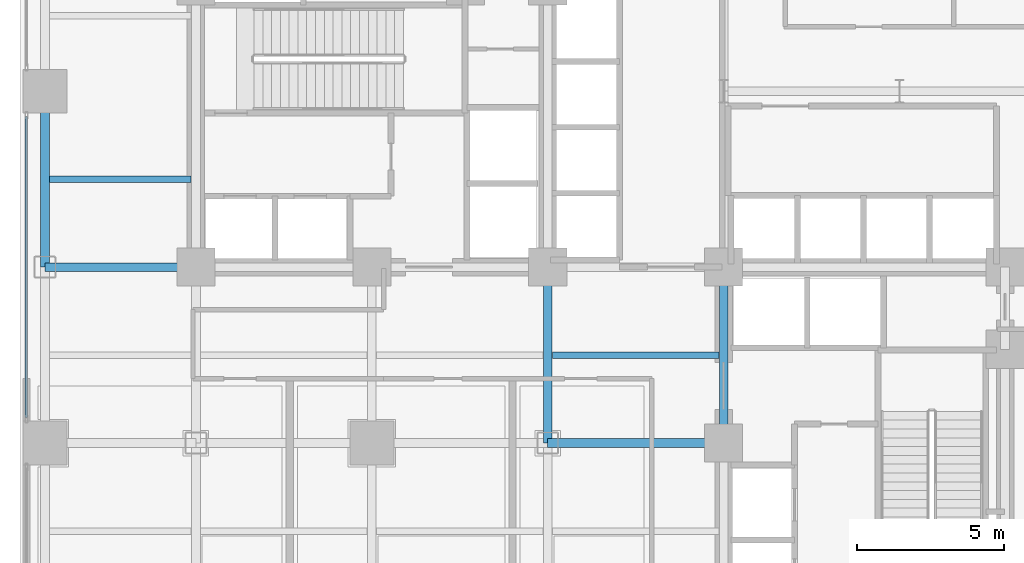
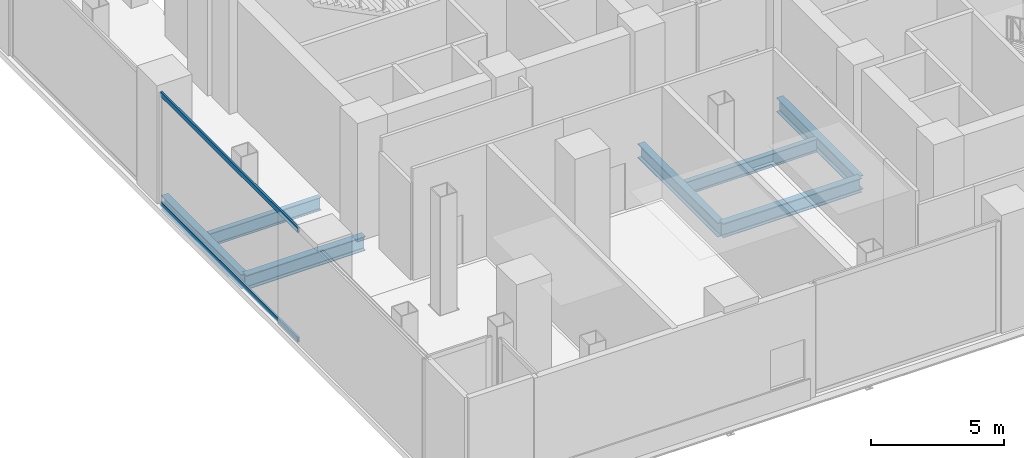
# One storey, part 6 of 28: 7 beams, 2 members, 1 element without a shape of its own.
"""IFC4 building model written with IfcOpenShell, lengths in metres."""

from ifc_helpers import new_model, si_unit, direction, frame, origin, origin_2d, place, context, subcontext, project, spatial, hollow_rectangle, i_section, extrude, material, layer, layer_set, material_profile, profile_set, type_object, element, aggregate, save


model = new_model("IFC4")

# Units and contexts
model_context = context("Model", 3, precision=1e-05, world=origin(), true_north=direction((0.0, 1.0)))
body_context = subcontext(model_context, "Body", "Model", "MODEL_VIEW")
ifc_project = project(units=[si_unit("LENGTHUNIT", "METRE"), si_unit("AREAUNIT", "SQUARE_METRE"), si_unit("VOLUMEUNIT", "CUBIC_METRE"), si_unit("PLANEANGLEUNIT", "RADIAN"), si_unit("MASSUNIT", "GRAM", prefix="KILO"), si_unit("THERMODYNAMICTEMPERATUREUNIT", "KELVIN"), si_unit("POWERUNIT", "WATT")], contexts=[model_context])

# Site, building, storey
site_placement = place(None, origin())
site = spatial("IfcSite", under=ifc_project, at=site_placement, CompositionType="ELEMENT")
building_placement = place(site_placement, origin())
building = spatial("IfcBuilding", under=site, at=building_placement, Name="Svarakhadi Broadcast Tower", CompositionType="ELEMENT")
storey_placement = place(building_placement, frame((0.0, 0.0, 11.10009765625)))
storey = spatial("IfcBuildingStorey", under=building, at=storey_placement, Name="L02", CompositionType="ELEMENT", Elevation=11.10009765625)

# Beams
ifc_material_1 = material(Name="Steel S355J2 (IS 2062 E350C)", Category="steel")
ifc_material_profile_1 = material_profile(ifc_material_1, i_section(OverallWidth=0.219970703125, OverallDepth=0.60009765625, WebThickness=0.011962890625, FlangeThickness=0.01904296875, FilletRadius=0.02392578125, at=origin_2d()), Name="NPB 600x220x122")
ifc_profile_set_1 = profile_set([ifc_material_profile_1], Name="Steel S355J2 (IS 2062 E350C)")
beam_type_1 = type_object("IfcBeamType", Name="Beam_NPB600", PredefinedType="BEAM", material=ifc_profile_set_1)
beam_1_placement = place(storey_placement, frame((1.010009765625, 21.0, -0.5751953125), z_axis=(1.0, 0.0, 0.0), x_axis=(0.0, 1.0, 0.0)))
element("IfcBeam", 1, at=beam_1_placement, inside=storey, type_object=beam_type_1, Name="L02 Secondary Composite Beam SB003", PredefinedType="BEAM", context=body_context, shape_type="SweptSolid", body=[
    extrude(i_section(OverallWidth=0.219970703125, OverallDepth=0.60009765625, WebThickness=0.011962890625, FlangeThickness=0.01904296875, FilletRadius=0.02392578125, at=origin_2d()), origin(), (0.0, 0.0, 1.0), 4.830078125),
])
beam_2_placement = place(storey_placement, frame((18.159912109375, 15.0, -0.5751953125), z_axis=(1.0, 0.0, 0.0), x_axis=(0.0, 1.0, 0.0)))
element("IfcBeam", 2, at=beam_2_placement, inside=storey, type_object=beam_type_1, Name="L02 Secondary Composite Beam SB015", PredefinedType="BEAM", context=body_context, shape_type="SweptSolid", body=[
    extrude(i_section(OverallWidth=0.219970703125, OverallDepth=0.60009765625, WebThickness=0.011962890625, FlangeThickness=0.01904296875, FilletRadius=0.02392578125, at=origin_2d()), origin(), (0.0, 0.0, 1.0), 5.68017578125),
])

# Curtain wall, members
ifc_material_2 = material(Name="Anodised Bronze Aluminium AA 6063-T6", Category="aluminium")
ifc_layer = layer(ifc_material_2, 0.25)
ifc_layer_set = layer_set([ifc_layer], Name="Anodised Bronze Aluminium AA 6063-T6")
curtain_wall_type = type_object("IfcCurtainWallType", Name="CW_Sys_01", PredefinedType="NOTDEFINED", material=ifc_layer_set)
curtain_wall_placement = place(storey_placement, origin())
curtain_wall = element("IfcCurtainWall", 3, at=curtain_wall_placement, inside=storey, type_object=curtain_wall_type, Name="L02 Unitised Facade Curtain Wall 02 Bay 2", PredefinedType="NOTDEFINED")
ifc_material_profile_2 = material_profile(ifc_material_2, hollow_rectangle(XDim=0.0849609375, YDim=0.219970703125, WallThickness=0.0048828125, at=origin_2d()), Name="ALU TRANSOM 220x85x5")
ifc_profile_set_2 = profile_set([ifc_material_profile_2], Name="Anodised Bronze Aluminium AA 6063-T6")
member_type = type_object("IfcMemberType", Name="CW_Sys_01_Trn", PredefinedType="USERDEFINED", material=ifc_profile_set_2)
member_1_placement = place(storey_placement, frame((0.219970703125, 12.864990234375, 0.04248046875), z_axis=(0.0, 1.0, 0.0), x_axis=(-1.0, 0.0, 0.0)))
member_1 = element("IfcMember", 4, at=member_1_placement, type_object=member_type, Name="CW-01 transom 1.1", ObjectType="TRANSOM", PredefinedType="USERDEFINED", context=body_context, shape_type="SweptSolid", body=[
    extrude(hollow_rectangle(XDim=0.0849609375, YDim=0.219970703125, WallThickness=0.0048828125, at=origin_2d()), origin(), (0.0, 0.0, 1.0), 10.27001953125),
])
member_2_placement = place(storey_placement, frame((0.219970703125, 12.864990234375, 5.057373046875), z_axis=(0.0, 1.0, 0.0), x_axis=(-1.0, 0.0, 0.0)))
member_2 = element("IfcMember", 5, at=member_2_placement, type_object=member_type, Name="CW-01 transom 1.2", ObjectType="TRANSOM", PredefinedType="USERDEFINED", context=body_context, shape_type="SweptSolid", body=[
    extrude(hollow_rectangle(XDim=0.0849609375, YDim=0.219970703125, WallThickness=0.0048828125, at=origin_2d()), origin(), (0.0, 0.0, 1.0), 10.27001953125),
])
aggregate(curtain_wall, [member_1, member_2])

# Beams
ifc_material_profile_3 = material_profile(ifc_material_1, i_section(OverallWidth=0.300048828125, OverallDepth=0.64990234375, WebThickness=0.01611328125, FlangeThickness=0.031005859375, FilletRadius=0.027099609375, at=origin_2d()), Name="WPB 650x300x225")
ifc_profile_set_3 = profile_set([ifc_material_profile_3], Name="Steel S355J2 (IS 2062 E350C)")
beam_type_2 = type_object("IfcBeamType", Name="Girder_WPB650", PredefinedType="USERDEFINED", material=ifc_profile_set_3)
beam_3_placement = place(storey_placement, frame((18.0, 12.0, -0.60009765625), z_axis=(1.0, 0.0, 0.0), x_axis=(0.0, 1.0, 0.0)))
element("IfcBeam", 6, at=beam_3_placement, inside=storey, type_object=beam_type_2, Name="L02 Primary E-W Girder G017", ObjectType="GIRDER", PredefinedType="USERDEFINED", context=body_context, shape_type="SweptSolid", body=[
    extrude(i_section(OverallWidth=0.300048828125, OverallDepth=0.64990234375, WebThickness=0.01611328125, FlangeThickness=0.031005859375, FilletRadius=0.027099609375, at=origin_2d()), origin(), (0.0, 0.0, 1.0), 6.0),
])
beam_4_placement = place(storey_placement, frame((0.85009765625, 18.0, -0.60009765625), z_axis=(1.0, 0.0, 0.0), x_axis=(0.0, 1.0, 0.0)))
element("IfcBeam", 7, at=beam_4_placement, inside=storey, type_object=beam_type_2, Name="L02 Primary E-W Girder G020", ObjectType="GIRDER", PredefinedType="USERDEFINED", context=body_context, shape_type="SweptSolid", body=[
    extrude(i_section(OverallWidth=0.300048828125, OverallDepth=0.64990234375, WebThickness=0.01611328125, FlangeThickness=0.031005859375, FilletRadius=0.027099609375, at=origin_2d()), origin(), (0.0, 0.0, 1.0), 5.14990234375),
])
for number, where, z_axis, x_axis, name in (
    (8, (0.85009765625, 18.0, -0.60009765625), (0.0, 1.0, 0.0), (-1.0, 0.0, 0.0), "L02 Primary N-S Girder G046"),
    (9, (18.0, 12.0, -0.60009765625), (0.0, 1.0, 0.0), (-1.0, 0.0, 0.0), "L02 Primary N-S Girder G060"),
    (10, (24.0, 12.0, -0.60009765625), (0.0, 1.0, 0.0), (-1.0, 0.0, 0.0), "L02 Primary N-S Girder G066"),
):
    element("IfcBeam", number, at=place(storey_placement, frame(where, z_axis=z_axis, x_axis=x_axis)), inside=storey, type_object=beam_type_2, Name=name, ObjectType="GIRDER", PredefinedType="USERDEFINED", context=body_context, shape_type="SweptSolid", body=[
        extrude(i_section(OverallWidth=0.300048828125, OverallDepth=0.64990234375, WebThickness=0.01611328125, FlangeThickness=0.031005859375, FilletRadius=0.027099609375, at=origin_2d()), origin(), (0.0, 0.0, 1.0), 6.0),
    ])

save(model, "model.ifc")
